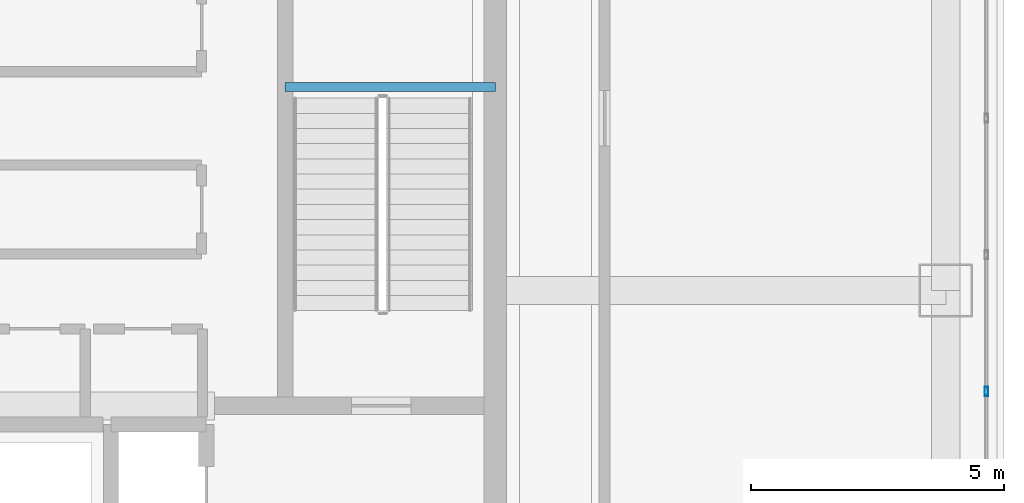
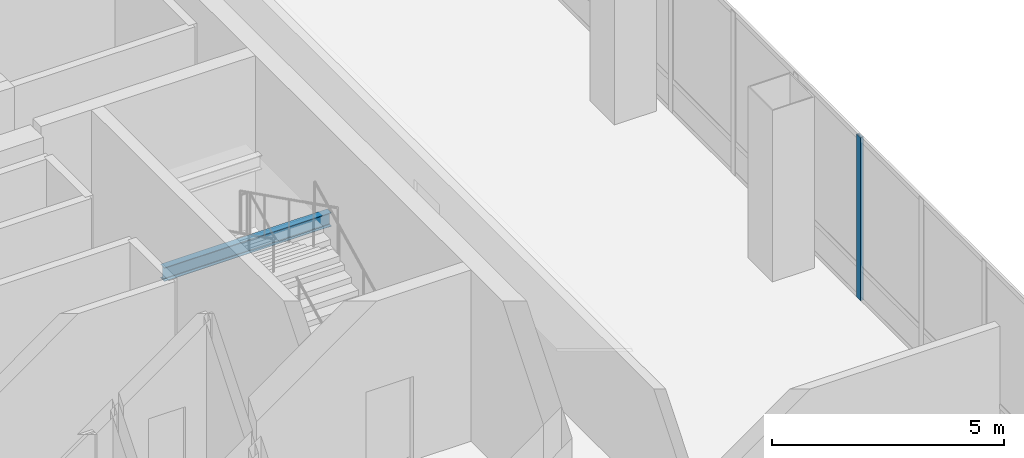
# One storey, part 15 of 33: 1 beam, 1 member, 1 element without a shape of its own.
"""IFC4 building model written with IfcOpenShell, lengths in metres."""

from ifc_helpers import new_model, si_unit, direction, frame, origin, origin_2d, place, context, subcontext, project, spatial, hollow_rectangle, i_section, extrude, material, material_profile, profile_set, type_object, element, aggregate, save


model = new_model("IFC4")

# Units and contexts
model_context = context("Model", 3, precision=1e-05, world=origin(), true_north=direction((0.0, 1.0)))
body_context = subcontext(model_context, "Body", "Model", "MODEL_VIEW")
ifc_project = project(units=[si_unit("LENGTHUNIT", "METRE"), si_unit("AREAUNIT", "SQUARE_METRE"), si_unit("VOLUMEUNIT", "CUBIC_METRE"), si_unit("PLANEANGLEUNIT", "RADIAN"), si_unit("MASSUNIT", "GRAM", prefix="KILO")], contexts=[model_context])

# Site, building, storey
site_placement = place(None, origin())
site = spatial("IfcSite", under=ifc_project, at=site_placement, CompositionType="ELEMENT")
building_placement = place(site_placement, origin())
building = spatial("IfcBuilding", under=site, at=building_placement, Name="Punatoya Terracotta Tower", CompositionType="ELEMENT")
storey_placement = place(building_placement, frame((0.0, 0.0, 343.800048828125)))
storey = spatial("IfcBuildingStorey", under=building, at=storey_placement, Name="L81", CompositionType="ELEMENT", Elevation=343.800048828125)

# Beam
ifc_material_1 = material(Name="Steel S355", Category="steel")
ifc_material_profile_1 = material_profile(ifc_material_1, i_section(OverallWidth=0.169921875, OverallDepth=0.360107421875, WebThickness=0.008056640625, FlangeThickness=0.0126953125, FilletRadius=0.01806640625, at=origin_2d()))
ifc_profile_set_1 = profile_set([ifc_material_profile_1], Name="Steel S355")
beam_type = type_object("IfcBeamType", Name="BM-SEC-360", PredefinedType="JOIST", material=ifc_profile_set_1)
beam_placement = place(storey_placement, frame((6.050048828125, 0.6201171875, 1.869873046875), z_axis=(1.0, 0.0, 0.0), x_axis=(0.0, 1.0, 0.0)))
element("IfcBeam", 1, at=beam_placement, inside=storey, type_object=beam_type, Name="BM-L81-ST-2-LD1A", PredefinedType="JOIST", context=body_context, shape_type="SweptSolid", body=[
    extrude(i_section(OverallWidth=0.169921875, OverallDepth=0.360107421875, WebThickness=0.008056640625, FlangeThickness=0.0126953125, FilletRadius=0.01806640625, at=origin_2d()), origin(), (0.0, 0.0, 1.0), 4.14990234375),
])

# Curtain wall, member
ifc_material_2 = material(Name="Aluminium 6063-T6 + Double Low-E Glass", Category="aluminium")
curtain_wall_type = type_object("IfcCurtainWallType", Name="CW-CRN", PredefinedType="NOTDEFINED", material=ifc_material_2)
curtain_wall_placement = place(storey_placement, origin())
curtain_wall = element("IfcCurtainWall", 2, at=curtain_wall_placement, inside=storey, type_object=curtain_wall_type, Name="L81 Curtain Wall CW-L81-E05-1", PredefinedType="NOTDEFINED")
ifc_material_3 = material(Name="Aluminium 6063-T6", Category="aluminium")
ifc_material_profile_2 = material_profile(ifc_material_3, hollow_rectangle(XDim=0.070068359375, YDim=0.179931640625, WallThickness=0.00390625, at=origin_2d()))
ifc_profile_set_2 = profile_set([ifc_material_profile_2], Name="Aluminium 6063-T6")
member_type = type_object("IfcMemberType", Name="CW-MUL-M3", PredefinedType="MULLION", material=ifc_profile_set_2)
member_placement = place(storey_placement, frame((19.89990234375, -5.3955078125, 0.0), z_axis=(0.0, 0.0, 1.0), x_axis=(1.0, 0.0, 0.0)))
member = element("IfcMember", 3, at=member_placement, type_object=member_type, Name="CW-L81-E05-1 Mullion 04", PredefinedType="MULLION", context=body_context, shape_type="SweptSolid", body=[
    extrude(hollow_rectangle(XDim=0.070068359375, YDim=0.179931640625, WallThickness=0.00390625, at=origin_2d()), origin(), (0.0, 0.0, 1.0), 4.280029296875),
])
aggregate(curtain_wall, [member])

save(model, "model.ifc")
